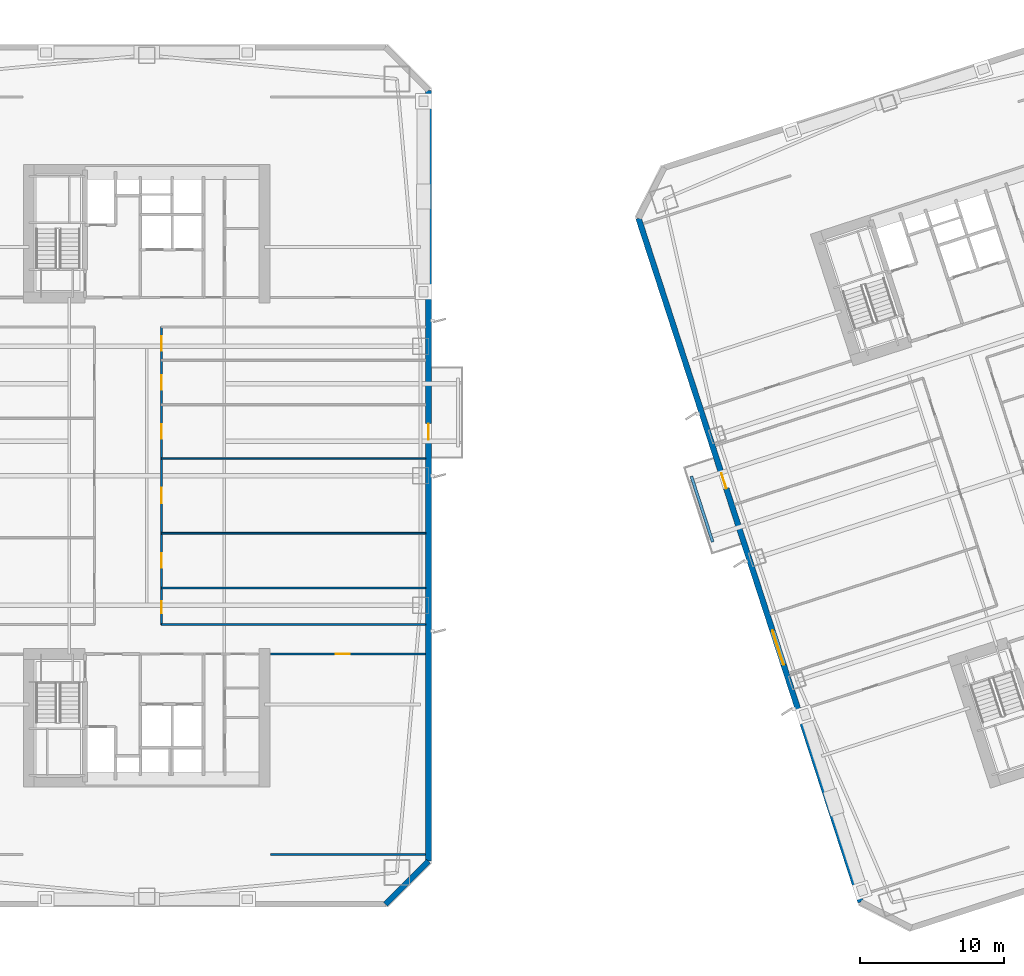
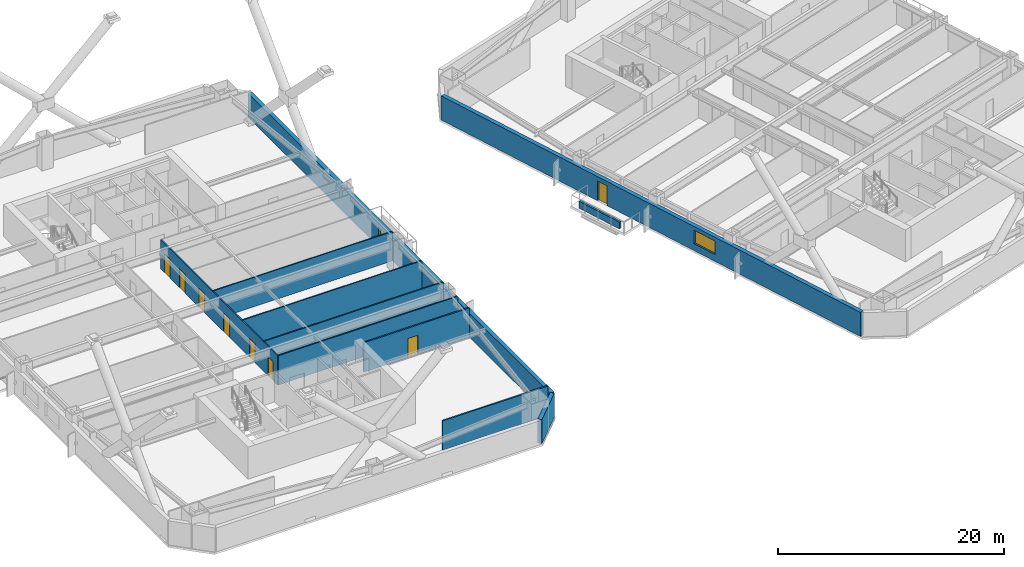
# One storey, part 5 of 18: 11 walls, 9 doors, 1 window, 10 openings.
"""IFC4 building model written with IfcOpenShell, lengths in metres."""

from ifc_helpers import new_model, si_unit, direction, frame, frame_2d, origin, place, context, subcontext, project, spatial, rectangle, extrude, material, layer, layer_set, type_object, element, fill, save


model = new_model("IFC4")

# Units and contexts
model_context = context("Model", 3, precision=1e-05, world=origin(), true_north=direction((0.0, 1.0)))
body_context = subcontext(model_context, "Body", "Model", "MODEL_VIEW")
ifc_project = project(units=[si_unit("LENGTHUNIT", "METRE"), si_unit("AREAUNIT", "SQUARE_METRE"), si_unit("VOLUMEUNIT", "CUBIC_METRE"), si_unit("PLANEANGLEUNIT", "RADIAN"), si_unit("MASSUNIT", "GRAM", prefix="KILO")], contexts=[model_context])

# Site, building, storey
site_placement = place(None, origin())
site = spatial("IfcSite", under=ifc_project, at=site_placement, CompositionType="ELEMENT")
building_placement = place(site_placement, origin())
building = spatial("IfcBuilding", under=site, at=building_placement, Name="Qiaolan Cultural Towers", CompositionType="ELEMENT")
storey_placement = place(building_placement, frame((0.0, 0.0, 57.5)))
storey = spatial("IfcBuildingStorey", under=building, at=storey_placement, Name="L13", CompositionType="ELEMENT", Elevation=57.5)

# Wall, opening, door
ifc_material_1 = material(Name="Precast Concrete C50 Honed Stone Pier", Category="masonry")
ifc_layer_1 = layer(ifc_material_1, 0.39990234375)
ifc_layer_set_1 = layer_set([ifc_layer_1], Name="Precast Concrete C50 Honed Stone Pier")
wall_type_1 = type_object("IfcWallType", Name="WL-EXT-PIER-400", PredefinedType="SOLIDWALL", material=ifc_layer_set_1)
wall_1_placement = place(storey_placement, frame((49.60009765625, 60.800048828125, 0.0), z_axis=(0.0, 0.0, 1.0), x_axis=(0.0, -1.0, 0.0)))
wall_1 = element("IfcWall", 1, at=wall_1_placement, inside=storey, type_object=wall_type_1, Name="L13 West Tower Precast Pier Facade Wall F5", PredefinedType="SOLIDWALL", context=body_context, shape_type="SweptSolid", body=[
    extrude(rectangle(XDim=53.60009765625, YDim=0.39990234375, at=frame_2d((26.800048828125, 0.0))), origin(), (0.0, 0.0, 1.0), 2.610107421875),
])
opening_1_placement = place(wall_1_placement, frame((23.177001953125, 0.0, 0.0)))
opening_1 = element("IfcOpeningElement", 2, at=opening_1_placement, cuts=wall_1, Name="Opening BD-01", PredefinedType="OPENING", context=body_context, shape_type="SweptSolid", body=[
    extrude(rectangle(XDim=1.10009765625, YDim=2.14990234375, at=frame_2d((0.550048828125, 1.074951171875))), frame((0.0, 0.2099609375, 0.0), z_axis=(0.0, -1.0, 0.0), x_axis=(1.0, 0.0, 0.0)), (0.0, 0.0, 1.0), 0.419921875),
])
ifc_material_2 = material(Name="Thermally Broken Aluminium Glazed Terrace Door", Category="aluminium")
door_type_1 = type_object("IfcDoorType", Name="DR-BAL-1100", OperationType="NOTDEFINED", PredefinedType="DOOR", material=ifc_material_2)
door_1_placement = place(opening_1_placement, origin())
door_1 = element("IfcDoor", 3, at=door_1_placement, inside=storey, type_object=door_type_1, Name="L13 T1 East Tree Balcony Door", OperationType="SINGLE_SWING_RIGHT", OverallHeight=2.14990234375, OverallWidth=1.10009765625, PredefinedType="DOOR", context=body_context, shape_type="SweptSolid", body=[
    extrude(rectangle(XDim=1.10009765625, YDim=2.14990234375, at=frame_2d((0.550048828125, 1.074951171875))), frame((0.0, 0.02490234375, 0.0), z_axis=(0.0, -1.0, 0.0), x_axis=(1.0, 0.0, 0.0)), (0.0, 0.0, 1.0), 0.050048828125),
])
fill(opening_1, door_1)

# Wall
wall_2_placement = place(storey_placement, frame((49.60009765625, 7.199951171875, 0.0), z_axis=(0.0, 0.0, 1.0), x_axis=(-0.707106781187, -0.707106781187, 0.0)))
element("IfcWall", 4, at=wall_2_placement, inside=storey, type_object=wall_type_1, Name="L13 West Tower Precast Pier Facade Wall F6", PredefinedType="SOLIDWALL", context=body_context, shape_type="SweptSolid", body=[
    extrude(rectangle(XDim=4.24267578125, YDim=0.39990234375, at=frame_2d((2.121337890625, 0.0))), origin(), (0.0, 0.0, 1.0), 2.610107421875),
])

# Wall, openings, door, window
wall_3_placement = place(storey_placement, frame((79.6552734375, 4.352294921875, 0.0), z_axis=(0.0, 0.0, 1.0), x_axis=(-0.309014526607, 0.951057318118, 0.0)))
wall_3 = element("IfcWall", 5, at=wall_3_placement, inside=storey, type_object=wall_type_1, Name="L13 East Tower Precast Pier Facade Wall F1", PredefinedType="SOLIDWALL", context=body_context, shape_type="SweptSolid", body=[
    extrude(rectangle(XDim=49.999755859375, YDim=0.39990234375, at=frame_2d((25.0, 0.0))), origin(), (0.0, 0.0, 1.0), 2.610107421875),
])
opening_2_placement = place(wall_3_placement, frame((17.35009765625, 0.0, 0.75)))
opening_2 = element("IfcOpeningElement", 6, at=opening_2_placement, cuts=wall_3, Name="Opening W-01", PredefinedType="OPENING", context=body_context, shape_type="SweptSolid", body=[
    extrude(rectangle(XDim=2.5, YDim=1.4599609375, at=frame_2d((1.25, 0.72998046875))), frame((0.0, 0.2099609375, 0.0), z_axis=(0.0, -1.0, 0.0), x_axis=(1.0, 0.0, 0.0)), (0.0, 0.0, 1.0), 0.419921875),
])
opening_3_placement = place(wall_3_placement, frame((30.25, 0.0, 0.0)))
opening_3 = element("IfcOpeningElement", 7, at=opening_3_placement, cuts=wall_3, Name="Opening BD-01", PredefinedType="OPENING", context=body_context, shape_type="SweptSolid", body=[
    extrude(rectangle(XDim=1.10009765625, YDim=2.14990234375, at=frame_2d((0.550048828125, 1.074951171875))), frame((0.0, 0.2099609375, 0.0), z_axis=(0.0, -1.0, 0.0), x_axis=(1.0, 0.0, 0.0)), (0.0, 0.0, 1.0), 0.419921875),
])
door_2_placement = place(opening_3_placement, origin())
door_2 = element("IfcDoor", 8, at=door_2_placement, inside=storey, type_object=door_type_1, Name="L13 T2 West Tree Balcony Door", OperationType="SINGLE_SWING_LEFT", OverallHeight=2.14990234375, OverallWidth=1.10009765625, PredefinedType="DOOR", context=body_context, shape_type="SweptSolid", body=[
    extrude(rectangle(XDim=1.10009765625, YDim=2.14990234375, at=frame_2d((0.550048828125, 1.074951171875))), frame((0.0, 0.02490234375, 0.0), z_axis=(0.0, -1.0, 0.0), x_axis=(1.0, 0.0, 0.0)), (0.0, 0.0, 1.0), 0.050048828125),
])
fill(opening_3, door_2)
ifc_material_3 = material(Name="Thermally Broken Aluminium Triple Low-E Glazing", Category="aluminium")
window_type = type_object("IfcWindowType", Name="WN-CHIC-2500", PartitioningType="SINGLE_PANEL", PredefinedType="WINDOW", material=ifc_material_3)
window_placement = place(opening_2_placement, origin())
window = element("IfcWindow", 9, at=window_placement, inside=storey, type_object=window_type, Name="L13 T2 W Chicago Bay Window 1", OverallHeight=1.4599609375, OverallWidth=2.5, PartitioningType="TRIPLE_PANEL_VERTICAL", PredefinedType="WINDOW", context=body_context, shape_type="SweptSolid", body=[
    extrude(rectangle(XDim=2.5, YDim=1.4599609375, at=frame_2d((1.25, 0.72998046875))), frame((0.0, 0.030029296875, 0.0), z_axis=(0.0, -1.0, 0.0), x_axis=(1.0, 0.0, 0.0)), (0.0, 0.0, 1.0), 0.06005859375),
])
fill(opening_2, window)

# Wall
ifc_material_4 = material(Name="Gypsum Stud Acoustic Partition", Category="gypsum")
ifc_layer_2 = layer(ifc_material_4, 0.1201171875)
ifc_layer_set_2 = layer_set([ifc_layer_2], Name="Gypsum Stud Acoustic Partition")
wall_type_2 = type_object("IfcWallType", Name="WL-PART-120", PredefinedType="PARTITIONING", material=ifc_layer_set_2)
wall_4_placement = place(storey_placement, frame((31.02490234375, 23.64990234375, 0.0), z_axis=(0.0, 0.0, 1.0), x_axis=(1.0, 0.0, 0.0)))
element("IfcWall", 10, at=wall_4_placement, inside=storey, type_object=wall_type_2, Name="L13 T1 South Corridor Right Wall", PredefinedType="PARTITIONING", context=body_context, shape_type="SweptSolid", body=[
    extrude(rectangle(XDim=18.375, YDim=0.1201171875, at=frame_2d((9.1875, 0.0))), origin(), (0.0, 0.0, 1.0), 3.175048828125),
])

# Wall, openings, doors
wall_5_placement = place(storey_placement, frame((31.02490234375, 23.64990234375, 0.0), z_axis=(0.0, 0.0, 1.0), x_axis=(0.0, 1.0, 0.0)))
wall_5 = element("IfcWall", 11, at=wall_5_placement, inside=storey, type_object=wall_type_2, Name="L13 T1 East Spine Wall", PredefinedType="PARTITIONING", context=body_context, shape_type="SweptSolid", body=[
    extrude(rectangle(XDim=20.7001953125, YDim=0.1201171875, at=frame_2d((10.35009765625, 0.0))), origin(), (0.0, 0.0, 1.0), 3.175048828125),
])
opening_4_placement = place(wall_5_placement, frame((0.77490234375, 0.0, 0.0)))
opening_4 = element("IfcOpeningElement", 12, at=opening_4_placement, cuts=wall_5, Name="Opening ID-09", PredefinedType="OPENING", context=body_context, shape_type="SweptSolid", body=[
    extrude(rectangle(XDim=0.85009765625, YDim=2.050048828125, at=frame_2d((0.425048828125, 1.02490234375))), frame((0.0, 0.070068359375, 0.0), z_axis=(0.0, -1.0, 0.0), x_axis=(1.0, 0.0, 0.0)), (0.0, 0.0, 1.0), 0.14013671875),
])
opening_5_placement = place(wall_5_placement, frame((3.949951171875, 0.0, 0.0)))
opening_5 = element("IfcOpeningElement", 13, at=opening_5_placement, cuts=wall_5, Name="Opening ID-04", PredefinedType="OPENING", context=body_context, shape_type="SweptSolid", body=[
    extrude(rectangle(XDim=1.0, YDim=2.050048828125, at=frame_2d((0.5, 1.02490234375))), frame((0.0, 0.070068359375, 0.0), z_axis=(0.0, -1.0, 0.0), x_axis=(1.0, 0.0, 0.0)), (0.0, 0.0, 1.0), 0.14013671875),
])
opening_6_placement = place(wall_5_placement, frame((8.455078125, 0.0, 0.0)))
opening_6 = element("IfcOpeningElement", 14, at=opening_6_placement, cuts=wall_5, Name="Opening ID-07", PredefinedType="OPENING", context=body_context, shape_type="SweptSolid", body=[
    extrude(rectangle(XDim=1.050048828125, YDim=2.050048828125, at=frame_2d((0.52490234375, 1.02490234375))), frame((0.0, 0.070068359375, 0.0), z_axis=(0.0, -1.0, 0.0), x_axis=(1.0, 0.0, 0.0)), (0.0, 0.0, 1.0), 0.14013671875),
])
opening_7_placement = place(wall_5_placement, frame((12.923095703125, 0.0, 0.0)))
opening_7 = element("IfcOpeningElement", 15, at=opening_7_placement, cuts=wall_5, Name="Opening ID-04", PredefinedType="OPENING", context=body_context, shape_type="SweptSolid", body=[
    extrude(rectangle(XDim=1.0, YDim=2.050048828125, at=frame_2d((0.5, 1.02490234375))), frame((0.0, 0.070068359375, 0.0), z_axis=(0.0, -1.0, 0.0), x_axis=(1.0, 0.0, 0.0)), (0.0, 0.0, 1.0), 0.14013671875),
])
opening_8_placement = place(wall_5_placement, frame((16.33837890625, 0.0, 0.0)))
opening_8 = element("IfcOpeningElement", 16, at=opening_8_placement, cuts=wall_5, Name="Opening ID-04", PredefinedType="OPENING", context=body_context, shape_type="SweptSolid", body=[
    extrude(rectangle(XDim=1.0, YDim=2.050048828125, at=frame_2d((0.5, 1.02490234375))), frame((0.0, 0.070068359375, 0.0), z_axis=(0.0, -1.0, 0.0), x_axis=(1.0, 0.0, 0.0)), (0.0, 0.0, 1.0), 0.14013671875),
])
opening_9_placement = place(wall_5_placement, frame((19.04541015625, 0.0, 0.0)))
opening_9 = element("IfcOpeningElement", 17, at=opening_9_placement, cuts=wall_5, Name="Opening ID-04", PredefinedType="OPENING", context=body_context, shape_type="SweptSolid", body=[
    extrude(rectangle(XDim=1.0, YDim=2.050048828125, at=frame_2d((0.5, 1.02490234375))), frame((0.0, 0.070068359375, 0.0), z_axis=(0.0, -1.0, 0.0), x_axis=(1.0, 0.0, 0.0)), (0.0, 0.0, 1.0), 0.14013671875),
])
ifc_material_5 = material(Name="Oak Veneer Acoustic Office Door", Category="timber")
door_type_2 = type_object("IfcDoorType", Name="DR-INT-1000", OperationType="NOTDEFINED", PredefinedType="DOOR", material=ifc_material_5)
door_3_placement = place(opening_5_placement, origin())
door_3 = element("IfcDoor", 18, at=door_3_placement, inside=storey, type_object=door_type_2, Name="L13 T1 Architecture Studio Door", OperationType="SINGLE_SWING_LEFT", OverallHeight=2.050048828125, OverallWidth=1.0, PredefinedType="DOOR", context=body_context, shape_type="SweptSolid", body=[
    extrude(rectangle(XDim=1.0, YDim=2.050048828125, at=frame_2d((0.5, 1.02490234375))), frame((0.0, 0.02490234375, 0.0), z_axis=(0.0, -1.0, 0.0), x_axis=(1.0, 0.0, 0.0)), (0.0, 0.0, 1.0), 0.050048828125),
])
fill(opening_5, door_3)
door_4_placement = place(opening_7_placement, origin())
door_4 = element("IfcDoor", 19, at=door_4_placement, inside=storey, type_object=door_type_2, Name="L13 T1 Architecture Studio Door", OperationType="SINGLE_SWING_LEFT", OverallHeight=2.050048828125, OverallWidth=1.0, PredefinedType="DOOR", context=body_context, shape_type="SweptSolid", body=[
    extrude(rectangle(XDim=1.0, YDim=2.050048828125, at=frame_2d((0.5, 1.02490234375))), frame((0.0, 0.02490234375, 0.0), z_axis=(0.0, -1.0, 0.0), x_axis=(1.0, 0.0, 0.0)), (0.0, 0.0, 1.0), 0.050048828125),
])
fill(opening_7, door_4)
door_5_placement = place(opening_8_placement, origin())
door_5 = element("IfcDoor", 20, at=door_5_placement, inside=storey, type_object=door_type_2, Name="L13 T1 Model Workshop Door", OperationType="SINGLE_SWING_RIGHT", OverallHeight=2.050048828125, OverallWidth=1.0, PredefinedType="DOOR", context=body_context, shape_type="SweptSolid", body=[
    extrude(rectangle(XDim=1.0, YDim=2.050048828125, at=frame_2d((0.5, 1.02490234375))), frame((0.0, 0.02490234375, 0.0), z_axis=(0.0, -1.0, 0.0), x_axis=(1.0, 0.0, 0.0)), (0.0, 0.0, 1.0), 0.050048828125),
])
fill(opening_8, door_5)
door_6_placement = place(opening_9_placement, origin())
door_6 = element("IfcDoor", 21, at=door_6_placement, inside=storey, type_object=door_type_2, Name="L13 T1 Espresso Pantry Door", OperationType="SINGLE_SWING_LEFT", OverallHeight=2.050048828125, OverallWidth=1.0, PredefinedType="DOOR", context=body_context, shape_type="SweptSolid", body=[
    extrude(rectangle(XDim=1.0, YDim=2.050048828125, at=frame_2d((0.5, 1.02490234375))), frame((0.0, 0.02490234375, 0.0), z_axis=(0.0, -1.0, 0.0), x_axis=(1.0, 0.0, 0.0)), (0.0, 0.0, 1.0), 0.050048828125),
])
fill(opening_9, door_6)
ifc_material_6 = material(Name="Oak Veneer Consultation Door", Category="timber")
door_type_3 = type_object("IfcDoorType", Name="DR-INT-1050", OperationType="NOTDEFINED", PredefinedType="DOOR", material=ifc_material_6)
door_7_placement = place(opening_6_placement, origin())
door_7 = element("IfcDoor", 22, at=door_7_placement, inside=storey, type_object=door_type_3, Name="L13 T1 Architecture Studio Door", OperationType="SINGLE_SWING_RIGHT", OverallHeight=2.050048828125, OverallWidth=1.050048828125, PredefinedType="DOOR", context=body_context, shape_type="SweptSolid", body=[
    extrude(rectangle(XDim=1.050048828125, YDim=2.050048828125, at=frame_2d((0.52490234375, 1.02490234375))), frame((0.0, 0.02490234375, 0.0), z_axis=(0.0, -1.0, 0.0), x_axis=(1.0, 0.0, 0.0)), (0.0, 0.0, 1.0), 0.050048828125),
])
fill(opening_6, door_7)
ifc_material_7 = material(Name="Moisture-Resistant Laminate Utility Door", Category="timber")
door_type_4 = type_object("IfcDoorType", Name="DR-INT-850", OperationType="NOTDEFINED", PredefinedType="DOOR", material=ifc_material_7)
door_8_placement = place(opening_4_placement, origin())
door_8 = element("IfcDoor", 23, at=door_8_placement, inside=storey, type_object=door_type_4, Name="L13 T1 Architecture Studio Door", OperationType="SINGLE_SWING_RIGHT", OverallHeight=2.050048828125, OverallWidth=0.85009765625, PredefinedType="DOOR", context=body_context, shape_type="SweptSolid", body=[
    extrude(rectangle(XDim=0.85009765625, YDim=2.050048828125, at=frame_2d((0.425048828125, 1.02490234375))), frame((0.0, 0.02490234375, 0.0), z_axis=(0.0, -1.0, 0.0), x_axis=(1.0, 0.0, 0.0)), (0.0, 0.0, 1.0), 0.050048828125),
])
fill(opening_4, door_8)

# Walls
for number, where, z_axis, x_axis, name in (
    (24, (31.02490234375, 26.199951171875, 0.0), (0.0, 0.0, 1.0), (1.0, 0.0, 0.0), "L13 T1 East Partition 1"),
    (25, (31.02490234375, 30.0, 0.0), (0.0, 0.0, 1.0), (1.0, 0.0, 0.0), "L13 T1 East Partition 2"),
    (26, (31.02490234375, 35.2099609375, 0.0), (0.0, 0.0, 1.0), (1.0, 0.0, 0.0), "L13 T1 East Partition 3"),
):
    element("IfcWall", number, at=place(storey_placement, frame(where, z_axis=z_axis, x_axis=x_axis)), inside=storey, type_object=wall_type_2, Name=name, PredefinedType="PARTITIONING", context=body_context, shape_type="SweptSolid", body=[
        extrude(rectangle(XDim=18.375, YDim=0.1201171875, at=frame_2d((9.1875, 0.0))), origin(), (0.0, 0.0, 1.0), 3.175048828125),
    ])
ifc_material_8 = material(Name="Autoclaved Aerated Concrete Block B06", Category="concrete")
ifc_layer_3 = layer(ifc_material_8, 0.14990234375)
ifc_layer_set_3 = layer_set([ifc_layer_3], Name="Autoclaved Aerated Concrete Block B06")
wall_type_3 = type_object("IfcWallType", Name="WL-PART-150", PredefinedType="PARTITIONING", material=ifc_layer_set_3)
wall_6_placement = place(storey_placement, frame((38.60009765625, 7.64990234375, 0.0), z_axis=(0.0, 0.0, 1.0), x_axis=(1.0, 0.0, 0.0)))
element("IfcWall", 27, at=wall_6_placement, inside=storey, type_object=wall_type_3, Name="L13 T1 Flank Wall FLK-SE", PredefinedType="PARTITIONING", context=body_context, shape_type="SweptSolid", body=[
    extrude(rectangle(XDim=10.7998046875, YDim=0.14990234375, at=frame_2d((5.39990234375, 0.0))), origin(), (0.0, 0.0, 1.0), 3.175048828125),
])

# Wall, opening, door
wall_7_placement = place(storey_placement, frame((38.60009765625, 21.60009765625, 0.0), z_axis=(0.0, 0.0, 1.0), x_axis=(1.0, 0.0, 0.0)))
wall_7 = element("IfcWall", 28, at=wall_7_placement, inside=storey, type_object=wall_type_3, Name="L13 T1 Flank Front FLK-SE", PredefinedType="PARTITIONING", context=body_context, shape_type="SweptSolid", body=[
    extrude(rectangle(XDim=10.7998046875, YDim=0.14990234375, at=frame_2d((5.39990234375, 0.0))), origin(), (0.0, 0.0, 1.0), 3.175048828125),
])
opening_10_placement = place(wall_7_placement, frame((4.535888671875, 0.0, 0.0)))
opening_10 = element("IfcOpeningElement", 29, at=opening_10_placement, cuts=wall_7, Name="Opening ID-04", PredefinedType="OPENING", context=body_context, shape_type="SweptSolid", body=[
    extrude(rectangle(XDim=1.0, YDim=2.050048828125, at=frame_2d((0.5, 1.02490234375))), frame((0.0, 0.0849609375, 0.0), z_axis=(0.0, -1.0, 0.0), x_axis=(1.0, 0.0, 0.0)), (0.0, 0.0, 1.0), 0.169921875),
])
door_9_placement = place(opening_10_placement, origin())
door_9 = element("IfcDoor", 30, at=door_9_placement, inside=storey, type_object=door_type_2, Name="L13 T1 Corner Studio Door", OperationType="SINGLE_SWING_LEFT", OverallHeight=2.050048828125, OverallWidth=1.0, PredefinedType="DOOR", context=body_context, shape_type="SweptSolid", body=[
    extrude(rectangle(XDim=1.0, YDim=2.050048828125, at=frame_2d((0.5, 1.02490234375))), frame((0.0, 0.02490234375, 0.0), z_axis=(0.0, -1.0, 0.0), x_axis=(1.0, 0.0, 0.0)), (0.0, 0.0, 1.0), 0.050048828125),
])
fill(opening_10, door_9)

# Wall
ifc_material_9 = material(Name="Precast Concrete C45 Tree Planter Upstand", Category="concrete")
ifc_layer_4 = layer(ifc_material_9, 0.199951171875)
ifc_layer_set_4 = layer_set([ifc_layer_4], Name="Precast Concrete C45 Tree Planter Upstand")
wall_type_4 = type_object("IfcWallType", Name="WL-PLANTER-200", PredefinedType="PARAPET", material=ifc_layer_set_4)
wall_8_placement = place(storey_placement, frame((69.3623046875, 29.397216796875, 0.0), z_axis=(0.0, 0.0, 1.0), x_axis=(-0.309032019345, 0.951051634255, 0.0)))
element("IfcWall", 31, at=wall_8_placement, inside=storey, type_object=wall_type_4, Name="L13 T2 Tree Balcony Soil Planter Box W", PredefinedType="PARAPET", context=body_context, shape_type="SweptSolid", body=[
    extrude(rectangle(XDim=4.800048828125, YDim=0.199951171875, at=frame_2d((2.39990234375, 0.0))), origin(), (0.0, 0.0, 1.0), 0.75),
])

save(model, "model.ifc")
